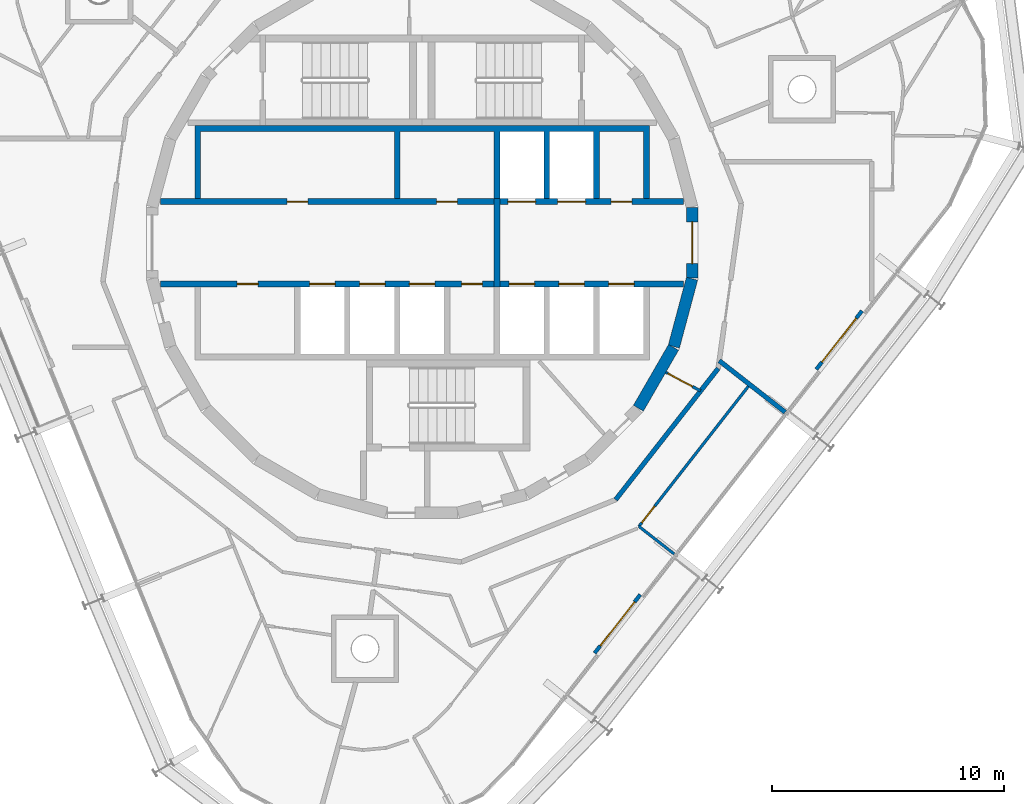
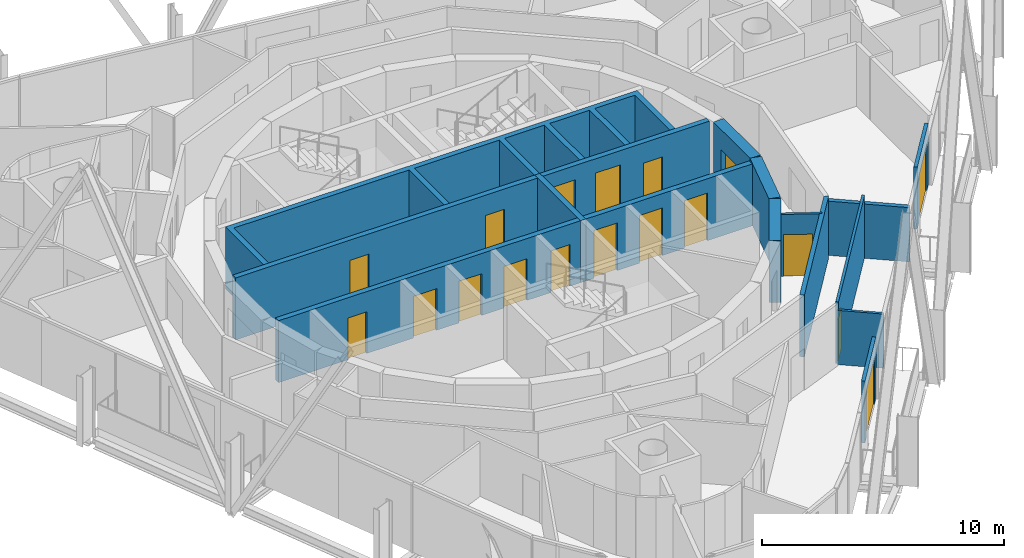
# One storey, part 11 of 15: 18 doors, 16 walls, 18 openings.
"""IFC4 building model written with IfcOpenShell, lengths in metres."""

from ifc_helpers import new_model, si_unit, direction, frame, frame_2d, origin, place, context, subcontext, project, spatial, polyline, rectangle, outline, extrude, material, layer, layer_set, type_object, element, fill, save


model = new_model("IFC4")

# Units and contexts
model_context = context("Model", 3, precision=1e-05, world=origin(), true_north=direction((0.0, 1.0)))
body_context = subcontext(model_context, "Body", "Model", "MODEL_VIEW")
ifc_project = project(units=[si_unit("LENGTHUNIT", "METRE"), si_unit("AREAUNIT", "SQUARE_METRE"), si_unit("VOLUMEUNIT", "CUBIC_METRE"), si_unit("PLANEANGLEUNIT", "RADIAN"), si_unit("MASSUNIT", "GRAM", prefix="KILO")], contexts=[model_context])

# Site, building, storey
site_placement = place(None, origin())
site = spatial("IfcSite", under=ifc_project, at=site_placement, CompositionType="ELEMENT")
building_placement = place(site_placement, origin())
building = spatial("IfcBuilding", under=site, at=building_placement, Name="Spindle Arch Residences", CompositionType="ELEMENT")
storey_placement = place(building_placement, frame((0.0, 0.0, 347.0)))
storey = spatial("IfcBuildingStorey", under=building, at=storey_placement, Name="L89", CompositionType="ELEMENT", Elevation=347.0)

# Walls
ifc_material_1 = material(Name="Concrete C50/60", Category="concrete")
ifc_layer_1 = layer(ifc_material_1, 0.5)
ifc_layer_set_1 = layer_set([ifc_layer_1], Name="Core outline wall 500")
wall_type_1 = type_object("IfcWallType", Name="Core outline wall 500", PredefinedType="SHEAR", material=ifc_layer_set_1)
for number, where, z_axis, x_axis, name in (
    (1, (9.32861328125, -7.13671875, 0.0), (0.0, 0.0, 1.0), (0.500087131594, 0.865975092491, 0.0), "Core outline wall 4"),
    (2, (10.858154296875, -4.479248046875, 0.0), (0.0, 0.0, 1.0), (0.258734743916, 0.965948410781, 0.0), "Core outline wall 5"),
):
    element("IfcWall", number, at=place(storey_placement, frame(where, z_axis=z_axis, x_axis=x_axis)), inside=storey, type_object=wall_type_1, Name=name, PredefinedType="SHEAR", context=body_context, shape_type="SweptSolid", body=[
        extrude(rectangle(XDim=3.03271484375, YDim=0.5, at=frame_2d((1.516357421875, 0.0))), origin(), (0.0, 0.0, 1.0), 3.1201171875),
    ])

# Wall, opening, door
wall_1_placement = place(storey_placement, frame((11.647216796875, -1.516357421875, 0.0), z_axis=(0.0, 0.0, 1.0), x_axis=(0.0, 1.0, 0.0)))
wall_1 = element("IfcWall", 3, at=wall_1_placement, inside=storey, type_object=wall_type_1, Name="Core outline wall 6", PredefinedType="SHEAR", context=body_context, shape_type="SweptSolid", body=[
    extrude(rectangle(XDim=3.03271484375, YDim=0.5, at=frame_2d((1.516357421875, 0.0))), origin(), (0.0, 0.0, 1.0), 3.1201171875),
])
opening_1_placement = place(wall_1_placement, frame((0.6162109375, 0.0, 0.0)))
opening_1 = element("IfcOpeningElement", 4, at=opening_1_placement, cuts=wall_1, Name="Opening R9B0-FE01", PredefinedType="OPENING", context=body_context, shape_type="SweptSolid", body=[
    extrude(rectangle(XDim=1.800048828125, YDim=2.10009765625, at=frame_2d((0.89990234375, 1.050048828125))), frame((0.0, 0.260009765625, 0.0), z_axis=(0.0, -1.0, 0.0), x_axis=(1.0, 0.0, 0.0)), (0.0, 0.0, 1.0), 0.52001953125),
])
ifc_material_2 = material(Name="Steel, fire-resisting door", Category="steel")
door_type_1 = type_object("IfcDoorType", Name="Fire-lift lobby door 1800x2100", OperationType="DOUBLE_DOOR_SINGLE_SWING", PredefinedType="DOOR", material=ifc_material_2)
door_1_placement = place(opening_1_placement, origin())
door_1 = element("IfcDoor", 5, at=door_1_placement, inside=storey, type_object=door_type_1, Name="Fire-lift lobby door R9B0-FE01", OperationType="DOUBLE_DOOR_SINGLE_SWING", OverallHeight=2.10009765625, OverallWidth=1.800048828125, PredefinedType="DOOR", context=body_context, shape_type="SweptSolid", body=[
    extrude(rectangle(XDim=1.800048828125, YDim=2.10009765625, at=frame_2d((0.89990234375, 1.050048828125))), frame((0.0, 0.02490234375, 0.0), z_axis=(0.0, -1.0, 0.0), x_axis=(1.0, 0.0, 0.0)), (0.0, 0.0, 1.0), 0.050048828125),
])
fill(opening_1, door_1)

ifc_material_3 = material(Name="Plasterboard on steel studs", Category="steel")
ifc_layer_2 = layer(ifc_material_3, 0.1201171875)
ifc_layer_set_2 = layer_set([ifc_layer_2], Name="Corridor division wall 120")
wall_type_2 = type_object("IfcWallType", Name="Corridor division wall 120", PredefinedType="PARTITIONING", material=ifc_layer_set_2)
wall_2_placement = place(storey_placement, frame((10.510986328125, -5.5888671875, 0.0), z_axis=(0.0, 0.0, 1.0), x_axis=(0.882959677414, -0.469448834337, 0.0)))
wall_2 = element("IfcWall", 6, at=wall_2_placement, inside=storey, type_object=wall_type_2, Name="Corridor division wall R9B0-W002", PredefinedType="PARTITIONING", context=body_context, shape_type="SweptSolid", body=[
    extrude(rectangle(XDim=1.7021484375, YDim=0.1201171875, at=frame_2d((0.85107421875, 0.0))), origin(), (0.0, 0.0, 1.0), 3.1201171875),
])
opening_2_placement = place(wall_2_placement, frame((0.10009765625, 0.0, 0.0)))
opening_2 = element("IfcOpeningElement", 7, at=opening_2_placement, cuts=wall_2, Name="Opening R9B0-CD02", PredefinedType="OPENING", context=body_context, shape_type="SweptSolid", body=[
    extrude(rectangle(XDim=1.199951171875, YDim=2.10009765625, at=frame_2d((0.60009765625, 1.050048828125))), frame((0.0, 0.070068359375, 0.0), z_axis=(0.0, -1.0, 0.0), x_axis=(1.0, 0.0, 0.0)), (0.0, 0.0, 1.0), 0.14013671875),
])
ifc_material_4 = material(Name="Steel, fire-resisting door", Category="steel")
door_type_2 = type_object("IfcDoorType", Name="Corridor division door 1200x2100", OperationType="NOTDEFINED", PredefinedType="DOOR", material=ifc_material_4)
door_2_placement = place(opening_2_placement, origin())
door_2 = element("IfcDoor", 8, at=door_2_placement, inside=storey, type_object=door_type_2, Name="Corridor division door R9B0-CD02", OperationType="DOUBLE_DOOR_SINGLE_SWING", OverallHeight=2.10009765625, OverallWidth=1.199951171875, PredefinedType="DOOR", context=body_context, shape_type="SweptSolid", body=[
    extrude(rectangle(XDim=1.199951171875, YDim=2.10009765625, at=frame_2d((0.60009765625, 1.050048828125))), frame((0.0, 0.02490234375, 0.0), z_axis=(0.0, -1.0, 0.0), x_axis=(1.0, 0.0, 0.0)), (0.0, 0.0, 1.0), 0.050048828125),
])
fill(opening_2, door_2)

# Walls
ifc_material_5 = material(Name="Calcium silicate block, plastered")
ifc_layer_3 = layer(ifc_material_5, 0.199951171875)
ifc_layer_set_3 = layer_set([ifc_layer_3], Name="Corridor wall 200")
wall_type_3 = type_object("IfcWallType", Name="Corridor wall 200", PredefinedType="STANDARD", material=ifc_layer_set_3)
wall_3_placement = place(storey_placement, frame((8.348876953125, -11.0791015625, 0.0), z_axis=(0.0, 0.0, 1.0), x_axis=(0.615669112324, 0.78800478687, 0.0)))
element("IfcWall", 9, at=wall_3_placement, inside=storey, type_object=wall_type_3, Name="Corridor wall R9B0-W008", PredefinedType="STANDARD", context=body_context, shape_type="SweptSolid", body=[
    extrude(rectangle(XDim=7.18115234375, YDim=0.199951171875, at=frame_2d((3.590576171875, 0.0))), origin(), (0.0, 0.0, 1.0), 3.1201171875),
])
ifc_material_6 = material(Name="Calcium silicate block, plastered")
ifc_layer_4 = layer(ifc_material_6, 0.199951171875)
ifc_layer_set_4 = layer_set([ifc_layer_4], Name="Fire-lift lobby bay wall 200 under beam 2730")
wall_type_4 = type_object("IfcWallType", Name="Fire-lift lobby bay wall 200 under beam 2730", PredefinedType="STANDARD", material=ifc_layer_set_4)
wall_4_placement = place(storey_placement, frame((12.81689453125, -5.086181640625, 0.0), z_axis=(0.0, 0.0, 1.0), x_axis=(0.787994616725, -0.615682129034, 0.0)))
element("IfcWall", 10, at=wall_4_placement, inside=storey, type_object=wall_type_4, Name="Fire-lift lobby bay wall R9B0-W022", PredefinedType="STANDARD", context=body_context, shape_type="SweptSolid", body=[
    extrude(rectangle(XDim=3.607177734375, YDim=0.199951171875, at=frame_2d((1.8037109375, 0.0))), origin(), (0.0, 0.0, 1.0), 2.72998046875),
])

# Wall, openings, doors
ifc_material_7 = material(Name="Concrete C40/50", Category="concrete")
ifc_layer_5 = layer(ifc_material_7, 0.25)
ifc_layer_set_5 = layer_set([ifc_layer_5], Name="Fire-lift lobby wall 250")
wall_type_5 = type_object("IfcWallType", Name="Fire-lift lobby wall 250", PredefinedType="SHEAR", material=ifc_layer_set_5)
wall_5_placement = place(storey_placement, frame((3.35009765625, 1.77490234375, 0.0), z_axis=(0.0, 0.0, 1.0), x_axis=(1.0, 0.0, 0.0)))
wall_5 = element("IfcWall", 11, at=wall_5_placement, inside=storey, type_object=wall_type_5, Name="Lift shaft front wall NE", PredefinedType="SHEAR", context=body_context, shape_type="SweptSolid", body=[
    extrude(rectangle(XDim=7.929931640625, YDim=0.25, at=frame_2d((3.96484375, 0.0))), origin(), (0.0, 0.0, 1.0), 3.1201171875),
])
opening_3_placement = place(wall_5_placement, frame((0.35009765625, 0.0, 0.0)))
opening_3 = element("IfcOpeningElement", 12, at=opening_3_placement, cuts=wall_5, Name="Opening R9B0-SLD01", PredefinedType="OPENING", context=body_context, shape_type="SweptSolid", body=[
    extrude(rectangle(XDim=1.199951171875, YDim=2.39990234375, at=frame_2d((0.60009765625, 1.199951171875))), frame((0.0, 0.135009765625, 0.0), z_axis=(0.0, -1.0, 0.0), x_axis=(1.0, 0.0, 0.0)), (0.0, 0.0, 1.0), 0.27001953125),
])
opening_4_placement = place(wall_5_placement, frame((2.5, 0.0, 0.0)))
opening_4 = element("IfcOpeningElement", 13, at=opening_4_placement, cuts=wall_5, Name="Opening R9B0-SLD02", PredefinedType="OPENING", context=body_context, shape_type="SweptSolid", body=[
    extrude(rectangle(XDim=1.199951171875, YDim=2.39990234375, at=frame_2d((0.60009765625, 1.199951171875))), frame((0.0, 0.135009765625, 0.0), z_axis=(0.0, -1.0, 0.0), x_axis=(1.0, 0.0, 0.0)), (0.0, 0.0, 1.0), 0.27001953125),
])
opening_5_placement = place(wall_5_placement, frame((4.800048828125, 0.0, 0.0)))
opening_5 = element("IfcOpeningElement", 14, at=opening_5_placement, cuts=wall_5, Name="Opening R9B0-WD03", PredefinedType="OPENING", context=body_context, shape_type="SweptSolid", body=[
    extrude(rectangle(XDim=0.89990234375, YDim=2.10009765625, at=frame_2d((0.449951171875, 1.050048828125))), frame((0.0, 0.135009765625, 0.0), z_axis=(0.0, -1.0, 0.0), x_axis=(1.0, 0.0, 0.0)), (0.0, 0.0, 1.0), 0.27001953125),
])
ifc_material_8 = material(Name="Steel, fire-resisting landing door", Category="steel")
door_type_3 = type_object("IfcDoorType", Name="Service lift landing door 1200x2400", OperationType="DOUBLE_DOOR_SLIDING", PredefinedType="DOOR", material=ifc_material_8)
door_3_placement = place(opening_3_placement, origin())
door_3 = element("IfcDoor", 15, at=door_3_placement, inside=storey, type_object=door_type_3, Name="Service lift landing door R9B0-SLD01", OperationType="DOUBLE_DOOR_SLIDING", OverallHeight=2.39990234375, OverallWidth=1.199951171875, PredefinedType="DOOR", context=body_context, shape_type="SweptSolid", body=[
    extrude(rectangle(XDim=1.199951171875, YDim=2.39990234375, at=frame_2d((0.60009765625, 1.199951171875))), frame((0.0, 0.02490234375, 0.0), z_axis=(0.0, -1.0, 0.0), x_axis=(1.0, 0.0, 0.0)), (0.0, 0.0, 1.0), 0.050048828125),
])
fill(opening_3, door_3)
door_4_placement = place(opening_4_placement, origin())
door_4 = element("IfcDoor", 16, at=door_4_placement, inside=storey, type_object=door_type_3, Name="Service lift landing door R9B0-SLD02", OperationType="DOUBLE_DOOR_SLIDING", OverallHeight=2.39990234375, OverallWidth=1.199951171875, PredefinedType="DOOR", context=body_context, shape_type="SweptSolid", body=[
    extrude(rectangle(XDim=1.199951171875, YDim=2.39990234375, at=frame_2d((0.60009765625, 1.199951171875))), frame((0.0, 0.02490234375, 0.0), z_axis=(0.0, -1.0, 0.0), x_axis=(1.0, 0.0, 0.0)), (0.0, 0.0, 1.0), 0.050048828125),
])
fill(opening_4, door_4)
ifc_material_9 = material(Name="Steel, fire-resisting door", Category="steel")
door_type_4 = type_object("IfcDoorType", Name="Service room door 900x2100", OperationType="SINGLE_SWING_LEFT", PredefinedType="DOOR", material=ifc_material_9)
door_5_placement = place(opening_5_placement, origin())
door_5 = element("IfcDoor", 17, at=door_5_placement, inside=storey, type_object=door_type_4, Name="Service room door R9B0-WD03", OperationType="SINGLE_SWING_LEFT", OverallHeight=2.10009765625, OverallWidth=0.89990234375, PredefinedType="DOOR", context=body_context, shape_type="SweptSolid", body=[
    extrude(rectangle(XDim=0.89990234375, YDim=2.10009765625, at=frame_2d((0.449951171875, 1.050048828125))), frame((0.0, 0.02490234375, 0.0), z_axis=(0.0, -1.0, 0.0), x_axis=(1.0, 0.0, 0.0)), (0.0, 0.0, 1.0), 0.050048828125),
])
fill(opening_5, door_5)

# Wall
wall_6_placement = place(storey_placement, frame((3.22509765625, -1.89990234375, 0.0), z_axis=(0.0, 0.0, 1.0), x_axis=(0.0, 1.0, 0.0)))
element("IfcWall", 18, at=wall_6_placement, inside=storey, type_object=wall_type_5, Name="Fire-fighting lobby partition", PredefinedType="SHEAR", context=body_context, shape_type="SweptSolid", body=[
    extrude(rectangle(XDim=3.7998046875, YDim=0.25, at=frame_2d((1.89990234375, 0.0))), origin(), (0.0, 0.0, 1.0), 3.1201171875),
])

# Wall, openings, doors
ifc_material_10 = material(Name="Concrete C50/60", Category="concrete")
ifc_layer_6 = layer(ifc_material_10, 0.25)
ifc_layer_set_6 = layer_set([ifc_layer_6], Name="Fire-lift shaft wall 250")
wall_type_6 = type_object("IfcWallType", Name="Fire-lift shaft wall 250", PredefinedType="SHEAR", material=ifc_layer_set_6)
wall_7_placement = place(storey_placement, frame((3.35009765625, -1.77490234375, 0.0), z_axis=(0.0, 0.0, 1.0), x_axis=(1.0, 0.0, 0.0)))
wall_7 = element("IfcWall", 19, at=wall_7_placement, inside=storey, type_object=wall_type_6, Name="Lift shaft front wall SE", PredefinedType="SHEAR", context=body_context, shape_type="SweptSolid", body=[
    extrude(rectangle(XDim=7.929931640625, YDim=0.25, at=frame_2d((3.96484375, 0.0))), origin(), (0.0, 0.0, 1.0), 3.1201171875),
])
opening_6_placement = place(wall_7_placement, frame((0.39990234375, 0.0, 0.0)))
opening_6 = element("IfcOpeningElement", 20, at=opening_6_placement, cuts=wall_7, Name="Opening R9B0-FLD01", PredefinedType="OPENING", context=body_context, shape_type="SweptSolid", body=[
    extrude(rectangle(XDim=1.10009765625, YDim=2.39990234375, at=frame_2d((0.550048828125, 1.199951171875))), frame((0.0, 0.135009765625, 0.0), z_axis=(0.0, -1.0, 0.0), x_axis=(1.0, 0.0, 0.0)), (0.0, 0.0, 1.0), 0.27001953125),
])
opening_7_placement = place(wall_7_placement, frame((2.550048828125, 0.0, 0.0)))
opening_7 = element("IfcOpeningElement", 21, at=opening_7_placement, cuts=wall_7, Name="Opening R9B0-FLD02", PredefinedType="OPENING", context=body_context, shape_type="SweptSolid", body=[
    extrude(rectangle(XDim=1.10009765625, YDim=2.39990234375, at=frame_2d((0.550048828125, 1.199951171875))), frame((0.0, 0.135009765625, 0.0), z_axis=(0.0, -1.0, 0.0), x_axis=(1.0, 0.0, 0.0)), (0.0, 0.0, 1.0), 0.27001953125),
])
opening_8_placement = place(wall_7_placement, frame((4.699951171875, 0.0, 0.0)))
opening_8 = element("IfcOpeningElement", 22, at=opening_8_placement, cuts=wall_7, Name="Opening R9B0-FLD03", PredefinedType="OPENING", context=body_context, shape_type="SweptSolid", body=[
    extrude(rectangle(XDim=1.10009765625, YDim=2.39990234375, at=frame_2d((0.550048828125, 1.199951171875))), frame((0.0, 0.135009765625, 0.0), z_axis=(0.0, -1.0, 0.0), x_axis=(1.0, 0.0, 0.0)), (0.0, 0.0, 1.0), 0.27001953125),
])
ifc_material_11 = material(Name="Steel, fire-resisting landing door", Category="steel")
door_type_5 = type_object("IfcDoorType", Name="Fire-fighting lift landing door 1100x2400", OperationType="DOUBLE_DOOR_SLIDING", PredefinedType="DOOR", material=ifc_material_11)
door_6_placement = place(opening_6_placement, origin())
door_6 = element("IfcDoor", 23, at=door_6_placement, inside=storey, type_object=door_type_5, Name="Fire-fighting lift landing door R9B0-FLD01", OperationType="DOUBLE_DOOR_SLIDING", OverallHeight=2.39990234375, OverallWidth=1.10009765625, PredefinedType="DOOR", context=body_context, shape_type="SweptSolid", body=[
    extrude(rectangle(XDim=1.10009765625, YDim=2.39990234375, at=frame_2d((0.550048828125, 1.199951171875))), frame((0.0, 0.02490234375, 0.0), z_axis=(0.0, -1.0, 0.0), x_axis=(1.0, 0.0, 0.0)), (0.0, 0.0, 1.0), 0.050048828125),
])
fill(opening_6, door_6)
door_7_placement = place(opening_7_placement, origin())
door_7 = element("IfcDoor", 24, at=door_7_placement, inside=storey, type_object=door_type_5, Name="Fire-fighting lift landing door R9B0-FLD02", OperationType="DOUBLE_DOOR_SLIDING", OverallHeight=2.39990234375, OverallWidth=1.10009765625, PredefinedType="DOOR", context=body_context, shape_type="SweptSolid", body=[
    extrude(rectangle(XDim=1.10009765625, YDim=2.39990234375, at=frame_2d((0.550048828125, 1.199951171875))), frame((0.0, 0.02490234375, 0.0), z_axis=(0.0, -1.0, 0.0), x_axis=(1.0, 0.0, 0.0)), (0.0, 0.0, 1.0), 0.050048828125),
])
fill(opening_7, door_7)
door_8_placement = place(opening_8_placement, origin())
door_8 = element("IfcDoor", 25, at=door_8_placement, inside=storey, type_object=door_type_5, Name="Fire-fighting lift landing door R9B0-FLD03", OperationType="DOUBLE_DOOR_SLIDING", OverallHeight=2.39990234375, OverallWidth=1.10009765625, PredefinedType="DOOR", context=body_context, shape_type="SweptSolid", body=[
    extrude(rectangle(XDim=1.10009765625, YDim=2.39990234375, at=frame_2d((0.550048828125, 1.199951171875))), frame((0.0, 0.02490234375, 0.0), z_axis=(0.0, -1.0, 0.0), x_axis=(1.0, 0.0, 0.0)), (0.0, 0.0, 1.0), 0.050048828125),
])
fill(opening_8, door_8)

# Wall, opening, door
ifc_material_12 = material(Name="Plasterboard on steel studs", Category="steel")
ifc_layer_7 = layer(ifc_material_12, 0.1201171875)
ifc_layer_set_7 = layer_set([ifc_layer_7], Name="Flat partition 120")
wall_type_7 = type_object("IfcWallType", Name="Flat partition 120", PredefinedType="PARTITIONING", material=ifc_layer_set_7)
wall_8_placement = place(storey_placement, frame((9.350830078125, -12.23291015625, 0.0), z_axis=(0.0, 0.0, 1.0), x_axis=(0.615678207218, 0.787997680933, 0.0)))
wall_8 = element("IfcWall", 26, at=wall_8_placement, inside=storey, type_object=wall_type_7, Name="Flat partition R9B0-W089", PredefinedType="PARTITIONING", context=body_context, shape_type="SweptSolid", body=[
    extrude(rectangle(XDim=7.765380859375, YDim=0.1201171875, at=frame_2d((3.8828125, 0.0))), origin(), (0.0, 0.0, 1.0), 3.1201171875),
])
opening_9_placement = place(wall_8_placement, frame((0.199951171875, 0.0, 0.0)))
opening_9 = element("IfcOpeningElement", 27, at=opening_9_placement, cuts=wall_8, Name="Opening R9B0-ID20", PredefinedType="OPENING", context=body_context, shape_type="SweptSolid", body=[
    extrude(rectangle(XDim=0.89990234375, YDim=2.10009765625, at=frame_2d((0.449951171875, 1.050048828125))), frame((0.0, 0.070068359375, 0.0), z_axis=(0.0, -1.0, 0.0), x_axis=(1.0, 0.0, 0.0)), (0.0, 0.0, 1.0), 0.14013671875),
])
ifc_material_13 = material(Name="Timber door set", Category="wood")
door_type_6 = type_object("IfcDoorType", Name="Room door 900x2100", OperationType="NOTDEFINED", PredefinedType="DOOR", material=ifc_material_13)
door_9_placement = place(opening_9_placement, origin())
door_9 = element("IfcDoor", 28, at=door_9_placement, inside=storey, type_object=door_type_6, Name="Room door R9B0-ID20", OperationType="SINGLE_SWING_LEFT", OverallHeight=2.10009765625, OverallWidth=0.89990234375, PredefinedType="DOOR", context=body_context, shape_type="SweptSolid", body=[
    extrude(rectangle(XDim=0.89990234375, YDim=2.10009765625, at=frame_2d((0.449951171875, 1.050048828125))), frame((0.0, 0.02490234375, 0.0), z_axis=(0.0, -1.0, 0.0), x_axis=(1.0, 0.0, 0.0)), (0.0, 0.0, 1.0), 0.050048828125),
])
fill(opening_9, door_9)

# Wall
ifc_material_14 = material(Name="Plasterboard on steel studs", Category="steel")
ifc_layer_8 = layer(ifc_material_14, 0.1201171875)
ifc_layer_set_8 = layer_set([ifc_layer_8], Name="Flat partition 120 under beam 2730")
wall_type_8 = type_object("IfcWallType", Name="Flat partition 120 under beam 2730", PredefinedType="PARTITIONING", material=ifc_layer_set_8)
wall_9_placement = place(storey_placement, frame((10.87841796875, -13.426513671875, 0.0), z_axis=(0.0, 0.0, 1.0), x_axis=(-0.787980458379, 0.615700249483, 0.0)))
element("IfcWall", 29, at=wall_9_placement, inside=storey, type_object=wall_type_8, Name="Flat partition R9B0-W098", PredefinedType="PARTITIONING", context=body_context, shape_type="SweptSolid", body=[
    extrude(rectangle(XDim=1.938720703125, YDim=0.1201171875, at=frame_2d((0.96923828125, 0.0))), origin(), (0.0, 0.0, 1.0), 2.72998046875),
])

# Wall, opening, door
ifc_material_15 = material(Name="Non-combustible mineral wool insulated aluminium faced external wall (K0)", Category="aluminium")
ifc_layer_9 = layer(ifc_material_15, 0.159912109375)
ifc_layer_set_9 = layer_set([ifc_layer_9], Name="Insulated external wall panel 160")
wall_type_9 = type_object("IfcWallType", Name="Insulated external wall panel 160", PredefinedType="STANDARD", material=ifc_layer_set_9)
wall_10_placement = place(storey_placement, frame((7.439697265625, -17.69775390625, 0.0), z_axis=(0.0, 0.0, 1.0), x_axis=(0.615666248856, 0.788007024093, 0.0)))
wall_10 = element("IfcWall", 30, at=wall_10_placement, inside=storey, type_object=wall_type_9, Name="External wall L89 bay 19", PredefinedType="STANDARD", context=body_context, shape_type="SweptSolid", body=[
    extrude(rectangle(XDim=3.2001953125, YDim=0.159912109375, at=frame_2d((1.60009765625, 0.0))), origin(), (0.0, 0.0, 1.0), 3.1201171875),
])
opening_10_placement = place(wall_10_placement, frame((0.39990234375, 0.0, 0.0)))
opening_10 = element("IfcOpeningElement", 31, at=opening_10_placement, cuts=wall_10, Name="Opening BD19", PredefinedType="OPENING", context=body_context, shape_type="SweptSolid", body=[
    extrude(rectangle(XDim=2.39990234375, YDim=2.39990234375, at=frame_2d((1.199951171875, 1.199951171875))), frame((0.0, 0.08984375, 0.0), z_axis=(0.0, -1.0, 0.0), x_axis=(1.0, 0.0, 0.0)), (0.0, 0.0, 1.0), 0.179931640625),
])
ifc_material_16 = material(Name="Bronze aluminium frame, tinted double glazing", Category="aluminium")
door_type_7 = type_object("IfcDoorType", Name="Sliding glazed balcony door 2400x2400", OperationType="DOUBLE_DOOR_SLIDING", PredefinedType="DOOR", material=ifc_material_16)
door_10_placement = place(opening_10_placement, origin())
door_10 = element("IfcDoor", 32, at=door_10_placement, inside=storey, type_object=door_type_7, Name="Balcony door BD19", OperationType="DOUBLE_DOOR_SLIDING", OverallHeight=2.39990234375, OverallWidth=2.39990234375, PredefinedType="DOOR", context=body_context, shape_type="SweptSolid", body=[
    extrude(rectangle(XDim=2.39990234375, YDim=2.39990234375, at=frame_2d((1.199951171875, 1.199951171875))), frame((0.0, 0.02490234375, 0.0), z_axis=(0.0, -1.0, 0.0), x_axis=(1.0, 0.0, 0.0)), (0.0, 0.0, 1.0), 0.050048828125),
])
fill(opening_10, door_10)

wall_11_placement = place(storey_placement, frame((17.001708984375, -5.458984375, 0.0), z_axis=(0.0, 0.0, 1.0), x_axis=(0.615666248856, 0.788007024093, 0.0)))
wall_11 = element("IfcWall", 33, at=wall_11_placement, inside=storey, type_object=wall_type_9, Name="External wall L89 bay 1", PredefinedType="STANDARD", context=body_context, shape_type="SweptSolid", body=[
    extrude(rectangle(XDim=3.2001953125, YDim=0.159912109375, at=frame_2d((1.60009765625, 0.0))), origin(), (0.0, 0.0, 1.0), 3.1201171875),
])
opening_11_placement = place(wall_11_placement, frame((0.39990234375, 0.0, 0.0)))
opening_11 = element("IfcOpeningElement", 34, at=opening_11_placement, cuts=wall_11, Name="Opening BD01", PredefinedType="OPENING", context=body_context, shape_type="SweptSolid", body=[
    extrude(rectangle(XDim=2.39990234375, YDim=2.39990234375, at=frame_2d((1.199951171875, 1.199951171875))), frame((0.0, 0.08984375, 0.0), z_axis=(0.0, -1.0, 0.0), x_axis=(1.0, 0.0, 0.0)), (0.0, 0.0, 1.0), 0.179931640625),
])
door_11_placement = place(opening_11_placement, origin())
door_11 = element("IfcDoor", 35, at=door_11_placement, inside=storey, type_object=door_type_7, Name="Balcony door BD01", OperationType="DOUBLE_DOOR_SLIDING", OverallHeight=2.39990234375, OverallWidth=2.39990234375, PredefinedType="DOOR", context=body_context, shape_type="SweptSolid", body=[
    extrude(rectangle(XDim=2.39990234375, YDim=2.39990234375, at=frame_2d((1.199951171875, 1.199951171875))), frame((0.0, 0.02490234375, 0.0), z_axis=(0.0, -1.0, 0.0), x_axis=(1.0, 0.0, 0.0)), (0.0, 0.0, 1.0), 0.050048828125),
])
fill(opening_11, door_11)

# Wall, openings, doors
ifc_material_17 = material(Name="Concrete C50/60", Category="concrete")
ifc_layer_10 = layer(ifc_material_17, 0.25)
ifc_layer_set_10 = layer_set([ifc_layer_10], Name="Lift shaft wall 250")
wall_type_10 = type_object("IfcWallType", Name="Lift shaft wall 250", PredefinedType="SHEAR", material=ifc_layer_set_10)
wall_12_placement = place(storey_placement, frame((-11.280029296875, 1.77490234375, 0.0), z_axis=(0.0, 0.0, 1.0), x_axis=(1.0, 0.0, 0.0)))
wall_12 = element("IfcWall", 36, at=wall_12_placement, inside=storey, type_object=wall_type_10, Name="Lift shaft front wall NW", PredefinedType="SHEAR", context=body_context, shape_type="SweptSolid", body=[
    extrude(rectangle(XDim=14.380126953125, YDim=0.25, at=frame_2d((7.18994140625, 0.0))), origin(), (0.0, 0.0, 1.0), 3.1201171875),
])
opening_12_placement = place(wall_12_placement, frame((5.455078125, 0.0, 0.0)))
opening_12 = element("IfcOpeningElement", 37, at=opening_12_placement, cuts=wall_12, Name="Opening R9B0-WD01", PredefinedType="OPENING", context=body_context, shape_type="SweptSolid", body=[
    extrude(rectangle(XDim=0.89990234375, YDim=2.10009765625, at=frame_2d((0.449951171875, 1.050048828125))), frame((0.0, 0.135009765625, 0.0), z_axis=(0.0, -1.0, 0.0), x_axis=(1.0, 0.0, 0.0)), (0.0, 0.0, 1.0), 0.27001953125),
])
opening_13_placement = place(wall_12_placement, frame((11.905029296875, 0.0, 0.0)))
opening_13 = element("IfcOpeningElement", 38, at=opening_13_placement, cuts=wall_12, Name="Opening R9B0-WD02", PredefinedType="OPENING", context=body_context, shape_type="SweptSolid", body=[
    extrude(rectangle(XDim=0.89990234375, YDim=2.10009765625, at=frame_2d((0.449951171875, 1.050048828125))), frame((0.0, 0.135009765625, 0.0), z_axis=(0.0, -1.0, 0.0), x_axis=(1.0, 0.0, 0.0)), (0.0, 0.0, 1.0), 0.27001953125),
])
door_12_placement = place(opening_12_placement, origin())
door_12 = element("IfcDoor", 39, at=door_12_placement, inside=storey, type_object=door_type_4, Name="Service room door R9B0-WD01", OperationType="SINGLE_SWING_LEFT", OverallHeight=2.10009765625, OverallWidth=0.89990234375, PredefinedType="DOOR", context=body_context, shape_type="SweptSolid", body=[
    extrude(rectangle(XDim=0.89990234375, YDim=2.10009765625, at=frame_2d((0.449951171875, 1.050048828125))), frame((0.0, 0.02490234375, 0.0), z_axis=(0.0, -1.0, 0.0), x_axis=(1.0, 0.0, 0.0)), (0.0, 0.0, 1.0), 0.050048828125),
])
fill(opening_12, door_12)
door_13_placement = place(opening_13_placement, origin())
door_13 = element("IfcDoor", 40, at=door_13_placement, inside=storey, type_object=door_type_4, Name="Service room door R9B0-WD02", OperationType="SINGLE_SWING_RIGHT", OverallHeight=2.10009765625, OverallWidth=0.89990234375, PredefinedType="DOOR", context=body_context, shape_type="SweptSolid", body=[
    extrude(rectangle(XDim=0.89990234375, YDim=2.10009765625, at=frame_2d((0.449951171875, 1.050048828125))), frame((0.0, 0.02490234375, 0.0), z_axis=(0.0, -1.0, 0.0), x_axis=(1.0, 0.0, 0.0)), (0.0, 0.0, 1.0), 0.050048828125),
])
fill(opening_13, door_13)

wall_13_placement = place(storey_placement, frame((-11.280029296875, -1.77490234375, 0.0), z_axis=(0.0, 0.0, 1.0), x_axis=(1.0, 0.0, 0.0)))
wall_13 = element("IfcWall", 41, at=wall_13_placement, inside=storey, type_object=wall_type_10, Name="Lift shaft front wall SW", PredefinedType="SHEAR", context=body_context, shape_type="SweptSolid", body=[
    extrude(rectangle(XDim=14.380126953125, YDim=0.25, at=frame_2d((7.18994140625, 0.0))), origin(), (0.0, 0.0, 1.0), 3.1201171875),
])
opening_14_placement = place(wall_13_placement, frame((6.429931640625, 0.0, 0.0)))
opening_14 = element("IfcOpeningElement", 42, at=opening_14_placement, cuts=wall_13, Name="Opening R9B0-LD01", PredefinedType="OPENING", context=body_context, shape_type="SweptSolid", body=[
    extrude(rectangle(XDim=1.10009765625, YDim=2.10009765625, at=frame_2d((0.550048828125, 1.050048828125))), frame((0.0, 0.135009765625, 0.0), z_axis=(0.0, -1.0, 0.0), x_axis=(1.0, 0.0, 0.0)), (0.0, 0.0, 1.0), 0.27001953125),
])
opening_15_placement = place(wall_13_placement, frame((8.580078125, 0.0, 0.0)))
opening_15 = element("IfcOpeningElement", 43, at=opening_15_placement, cuts=wall_13, Name="Opening R9B0-LD02", PredefinedType="OPENING", context=body_context, shape_type="SweptSolid", body=[
    extrude(rectangle(XDim=1.10009765625, YDim=2.10009765625, at=frame_2d((0.550048828125, 1.050048828125))), frame((0.0, 0.135009765625, 0.0), z_axis=(0.0, -1.0, 0.0), x_axis=(1.0, 0.0, 0.0)), (0.0, 0.0, 1.0), 0.27001953125),
])
opening_16_placement = place(wall_13_placement, frame((10.72998046875, 0.0, 0.0)))
opening_16 = element("IfcOpeningElement", 44, at=opening_16_placement, cuts=wall_13, Name="Opening R9B0-LD03", PredefinedType="OPENING", context=body_context, shape_type="SweptSolid", body=[
    extrude(rectangle(XDim=1.10009765625, YDim=2.10009765625, at=frame_2d((0.550048828125, 1.050048828125))), frame((0.0, 0.135009765625, 0.0), z_axis=(0.0, -1.0, 0.0), x_axis=(1.0, 0.0, 0.0)), (0.0, 0.0, 1.0), 0.27001953125),
])
opening_17_placement = place(wall_13_placement, frame((3.304931640625, 0.0, 0.0)))
opening_17 = element("IfcOpeningElement", 45, at=opening_17_placement, cuts=wall_13, Name="Opening R9B0-WD04", PredefinedType="OPENING", context=body_context, shape_type="SweptSolid", body=[
    extrude(rectangle(XDim=0.89990234375, YDim=2.10009765625, at=frame_2d((0.449951171875, 1.050048828125))), frame((0.0, 0.135009765625, 0.0), z_axis=(0.0, -1.0, 0.0), x_axis=(1.0, 0.0, 0.0)), (0.0, 0.0, 1.0), 0.27001953125),
])
opening_18_placement = place(wall_13_placement, frame((12.97998046875, 0.0, 0.0)))
opening_18 = element("IfcOpeningElement", 46, at=opening_18_placement, cuts=wall_13, Name="Opening R9B0-WD05", PredefinedType="OPENING", context=body_context, shape_type="SweptSolid", body=[
    extrude(rectangle(XDim=0.89990234375, YDim=2.10009765625, at=frame_2d((0.449951171875, 1.050048828125))), frame((0.0, 0.135009765625, 0.0), z_axis=(0.0, -1.0, 0.0), x_axis=(1.0, 0.0, 0.0)), (0.0, 0.0, 1.0), 0.27001953125),
])
ifc_material_18 = material(Name="Steel, fire-resisting landing door", Category="steel")
door_type_8 = type_object("IfcDoorType", Name="Lift landing door 1100x2100", OperationType="DOUBLE_DOOR_SLIDING", PredefinedType="DOOR", material=ifc_material_18)
door_14_placement = place(opening_14_placement, origin())
door_14 = element("IfcDoor", 47, at=door_14_placement, inside=storey, type_object=door_type_8, Name="Lift landing door R9B0-LD01", OperationType="DOUBLE_DOOR_SLIDING", OverallHeight=2.10009765625, OverallWidth=1.10009765625, PredefinedType="DOOR", context=body_context, shape_type="SweptSolid", body=[
    extrude(rectangle(XDim=1.10009765625, YDim=2.10009765625, at=frame_2d((0.550048828125, 1.050048828125))), frame((0.0, 0.02490234375, 0.0), z_axis=(0.0, -1.0, 0.0), x_axis=(1.0, 0.0, 0.0)), (0.0, 0.0, 1.0), 0.050048828125),
])
fill(opening_14, door_14)
door_15_placement = place(opening_15_placement, origin())
door_15 = element("IfcDoor", 48, at=door_15_placement, inside=storey, type_object=door_type_8, Name="Lift landing door R9B0-LD02", OperationType="DOUBLE_DOOR_SLIDING", OverallHeight=2.10009765625, OverallWidth=1.10009765625, PredefinedType="DOOR", context=body_context, shape_type="SweptSolid", body=[
    extrude(rectangle(XDim=1.10009765625, YDim=2.10009765625, at=frame_2d((0.550048828125, 1.050048828125))), frame((0.0, 0.02490234375, 0.0), z_axis=(0.0, -1.0, 0.0), x_axis=(1.0, 0.0, 0.0)), (0.0, 0.0, 1.0), 0.050048828125),
])
fill(opening_15, door_15)
door_16_placement = place(opening_16_placement, origin())
door_16 = element("IfcDoor", 49, at=door_16_placement, inside=storey, type_object=door_type_8, Name="Lift landing door R9B0-LD03", OperationType="DOUBLE_DOOR_SLIDING", OverallHeight=2.10009765625, OverallWidth=1.10009765625, PredefinedType="DOOR", context=body_context, shape_type="SweptSolid", body=[
    extrude(rectangle(XDim=1.10009765625, YDim=2.10009765625, at=frame_2d((0.550048828125, 1.050048828125))), frame((0.0, 0.02490234375, 0.0), z_axis=(0.0, -1.0, 0.0), x_axis=(1.0, 0.0, 0.0)), (0.0, 0.0, 1.0), 0.050048828125),
])
fill(opening_16, door_16)
door_17_placement = place(opening_17_placement, origin())
door_17 = element("IfcDoor", 50, at=door_17_placement, inside=storey, type_object=door_type_4, Name="Service room door R9B0-WD04", OperationType="SINGLE_SWING_RIGHT", OverallHeight=2.10009765625, OverallWidth=0.89990234375, PredefinedType="DOOR", context=body_context, shape_type="SweptSolid", body=[
    extrude(rectangle(XDim=0.89990234375, YDim=2.10009765625, at=frame_2d((0.449951171875, 1.050048828125))), frame((0.0, 0.02490234375, 0.0), z_axis=(0.0, -1.0, 0.0), x_axis=(1.0, 0.0, 0.0)), (0.0, 0.0, 1.0), 0.050048828125),
])
fill(opening_17, door_17)
door_18_placement = place(opening_18_placement, origin())
door_18 = element("IfcDoor", 51, at=door_18_placement, inside=storey, type_object=door_type_4, Name="Service room door R9B0-WD05", OperationType="SINGLE_SWING_LEFT", OverallHeight=2.10009765625, OverallWidth=0.89990234375, PredefinedType="DOOR", context=body_context, shape_type="SweptSolid", body=[
    extrude(rectangle(XDim=0.89990234375, YDim=2.10009765625, at=frame_2d((0.449951171875, 1.050048828125))), frame((0.0, 0.02490234375, 0.0), z_axis=(0.0, -1.0, 0.0), x_axis=(1.0, 0.0, 0.0)), (0.0, 0.0, 1.0), 0.050048828125),
])
fill(opening_18, door_18)

# Wall
ifc_material_19 = material(Name="Concrete C50/60", Category="concrete")
wall_type_11 = type_object("IfcWallType", Name="Lift shaft wall profile", PredefinedType="SHEAR", material=ifc_material_19)
wall_14_placement = place(storey_placement, origin())
element("IfcWall", 52, at=wall_14_placement, inside=storey, type_object=wall_type_11, Name="Lift shaft walls N", PredefinedType="SHEAR", context=body_context, shape_type="SweptSolid", body=[
    extrude(outline(polyline([(-9.800048828125, 1.89990234375), (-9.550048828125, 1.89990234375), (-9.550048828125, 4.800048828125), (-1.199951171875, 4.800048828125), (-1.199951171875, 1.89990234375), (-0.949951171875, 1.89990234375), (-0.949951171875, 4.800048828125), (3.10009765625, 4.800048828125), (3.10009765625, 1.89990234375), (3.35009765625, 1.89990234375), (3.35009765625, 4.800048828125), (5.25, 4.800048828125), (5.25, 1.89990234375), (5.5, 1.89990234375), (5.5, 4.800048828125), (7.39990234375, 4.800048828125), (7.39990234375, 1.89990234375), (7.64990234375, 1.89990234375), (7.64990234375, 4.800048828125), (9.550048828125, 4.800048828125), (9.550048828125, 1.89990234375), (9.800048828125, 1.89990234375), (9.800048828125, 4.800048828125), (9.800048828125, 5.050048828125), (-9.800048828125, 5.050048828125), (-9.800048828125, 4.800048828125), (-9.800048828125, 1.89990234375)])), origin(), (0.0, 0.0, 1.0), 3.1201171875),
])

save(model, "model.ifc")
